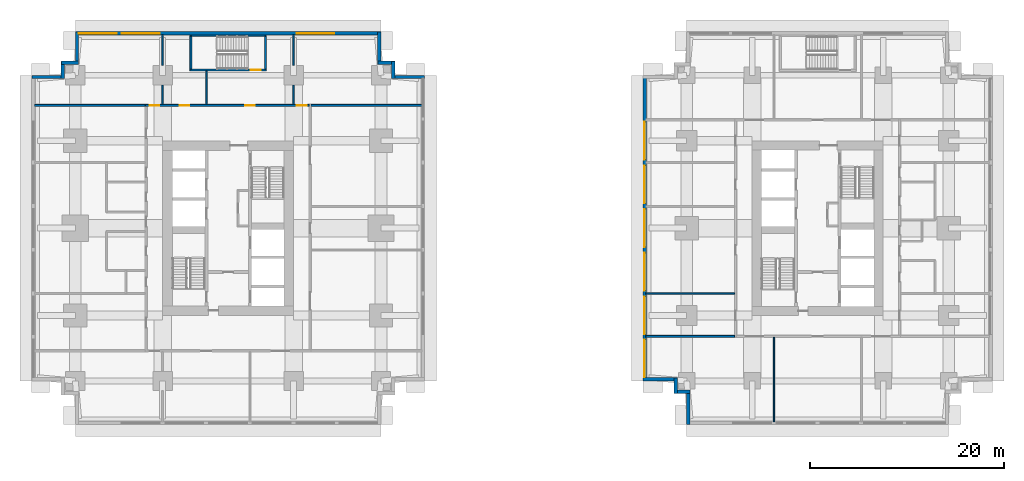
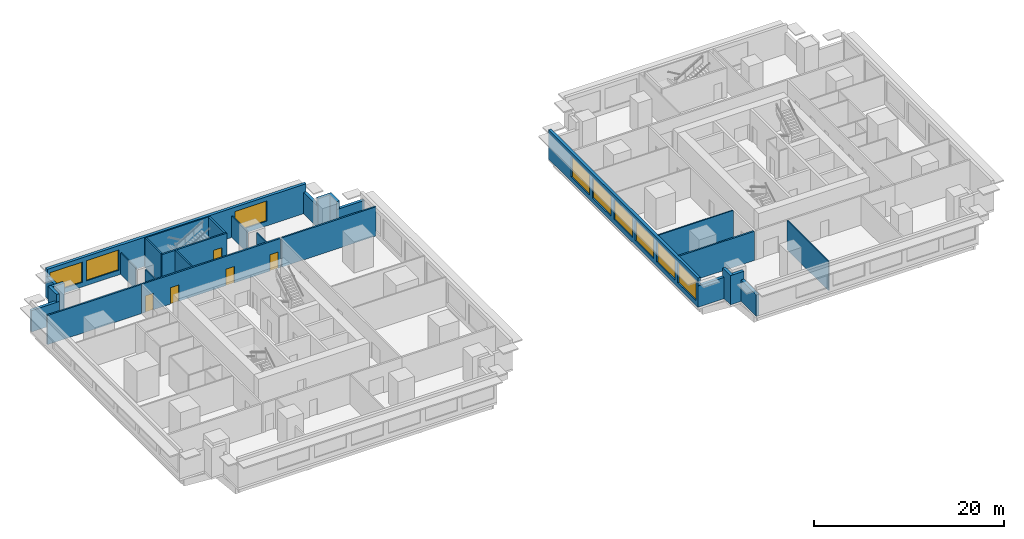
# One storey, part 5 of 11: 29 walls, 9 windows, 5 doors, 14 openings.
"""IFC4 building model written with IfcOpenShell, lengths in metres."""

from ifc_helpers import new_model, si_unit, direction, frame, frame_2d, origin, place, context, subcontext, project, spatial, rectangle, extrude, material, layer, layer_set, type_object, element, fill, save


model = new_model("IFC4")

# Units and contexts
model_context = context("Model", 3, precision=1e-05, world=origin(), true_north=direction((0.0, 1.0)))
body_context = subcontext(model_context, "Body", "Model", "MODEL_VIEW")
ifc_project = project(units=[si_unit("LENGTHUNIT", "METRE"), si_unit("AREAUNIT", "SQUARE_METRE"), si_unit("VOLUMEUNIT", "CUBIC_METRE"), si_unit("PLANEANGLEUNIT", "RADIAN"), si_unit("MASSUNIT", "GRAM", prefix="KILO")], contexts=[model_context])

# Site, building, storey
site_placement = place(None, origin())
site = spatial("IfcSite", under=ifc_project, at=site_placement, CompositionType="ELEMENT")
building_placement = place(site_placement, origin())
building = spatial("IfcBuilding", under=site, at=building_placement, Name="Namib Vertical Campus", CompositionType="ELEMENT")
storey_placement = place(building_placement, frame((0.0, 0.0, 73.0)))
storey = spatial("IfcBuildingStorey", under=building, at=storey_placement, Name="L17", CompositionType="ELEMENT", Elevation=73.0)

# Wall, openings, doors
ifc_material_1 = material(Name="Concrete masonry", Category="masonry")
ifc_layer_1 = layer(ifc_material_1, 0.199951171875)
ifc_layer_set_1 = layer_set([ifc_layer_1], Name="Corridor wall 200")
wall_type_1 = type_object("IfcWallType", Name="Corridor wall 200", PredefinedType="SOLIDWALL", material=ifc_layer_set_1)
wall_1_placement = place(storey_placement, frame((28.60009765625, 32.89990234375, 0.0), z_axis=(0.0, 0.0, 1.0), x_axis=(-1.0, 0.0, 0.0)))
wall_1 = element("IfcWall", 1, at=wall_1_placement, inside=storey, type_object=wall_type_1, Name="Corridor wall A L17 CN", PredefinedType="SOLIDWALL", context=body_context, shape_type="SweptSolid", body=[
    extrude(rectangle(XDim=16.900146484375, YDim=0.199951171875, at=frame_2d((8.4501953125, 0.0))), origin(), (0.0, 0.0, 1.0), 3.75),
])
opening_1_placement = place(wall_1_placement, frame((15.425048828125, 0.0, 0.0)))
opening_1 = element("IfcOpeningElement", 2, at=opening_1_placement, cuts=wall_1, Name="Opening CD1", PredefinedType="OPENING", context=body_context, shape_type="SweptSolid", body=[
    extrude(rectangle(XDim=1.0, YDim=2.10009765625, at=frame_2d((0.5, 1.050048828125))), frame((0.0, 0.10986328125, 0.0), z_axis=(0.0, -1.0, 0.0), x_axis=(1.0, 0.0, 0.0)), (0.0, 0.0, 1.0), 0.219970703125),
])
opening_2_placement = place(wall_1_placement, frame((12.35009765625, 0.0, 0.0)))
opening_2 = element("IfcOpeningElement", 3, at=opening_2_placement, cuts=wall_1, Name="Opening CD1", PredefinedType="OPENING", context=body_context, shape_type="SweptSolid", body=[
    extrude(rectangle(XDim=1.0, YDim=2.10009765625, at=frame_2d((0.5, 1.050048828125))), frame((0.0, 0.10986328125, 0.0), z_axis=(0.0, -1.0, 0.0), x_axis=(1.0, 0.0, 0.0)), (0.0, 0.0, 1.0), 0.219970703125),
])
opening_3_placement = place(wall_1_placement, frame((5.60009765625, 0.0, 0.0)))
opening_3 = element("IfcOpeningElement", 4, at=opening_3_placement, cuts=wall_1, Name="Opening CD1", PredefinedType="OPENING", context=body_context, shape_type="SweptSolid", body=[
    extrude(rectangle(XDim=1.0, YDim=2.10009765625, at=frame_2d((0.5, 1.050048828125))), frame((0.0, 0.10986328125, 0.0), z_axis=(0.0, -1.0, 0.0), x_axis=(1.0, 0.0, 0.0)), (0.0, 0.0, 1.0), 0.219970703125),
])
opening_4_placement = place(wall_1_placement, frame((0.27490234375, 0.0, 0.0)))
opening_4 = element("IfcOpeningElement", 5, at=opening_4_placement, cuts=wall_1, Name="Opening CD1", PredefinedType="OPENING", context=body_context, shape_type="SweptSolid", body=[
    extrude(rectangle(XDim=1.0, YDim=2.10009765625, at=frame_2d((0.5, 1.050048828125))), frame((0.0, 0.10986328125, 0.0), z_axis=(0.0, -1.0, 0.0), x_axis=(1.0, 0.0, 0.0)), (0.0, 0.0, 1.0), 0.219970703125),
])
ifc_material_2 = material(Name="Timber fire door leaf", Category="wood")
door_type_1 = type_object("IfcDoorType", Name="Corridor door 1000x2100 20 min", OperationType="SINGLE_SWING_LEFT", PredefinedType="DOOR", material=ifc_material_2)
door_1_placement = place(opening_1_placement, frame((1.0, 0.0, 0.0), z_axis=(0.0, 0.0, 1.0), x_axis=(-1.0, 0.0, 0.0)))
door_1 = element("IfcDoor", 6, at=door_1_placement, inside=storey, type_object=door_type_1, Name="Door CD1 A17-07", OperationType="SINGLE_SWING_RIGHT", OverallHeight=2.10009765625, OverallWidth=1.0, PredefinedType="DOOR", context=body_context, shape_type="SweptSolid", body=[
    extrude(rectangle(XDim=1.0, YDim=2.10009765625, at=frame_2d((0.5, 1.050048828125))), frame((0.0, 0.02490234375, 0.0), z_axis=(0.0, -1.0, 0.0), x_axis=(1.0, 0.0, 0.0)), (0.0, 0.0, 1.0), 0.050048828125),
])
fill(opening_1, door_1)
door_2_placement = place(opening_2_placement, frame((1.0, 0.0, 0.0), z_axis=(0.0, 0.0, 1.0), x_axis=(-1.0, 0.0, 0.0)))
door_2 = element("IfcDoor", 7, at=door_2_placement, inside=storey, type_object=door_type_1, Name="Door CD1 A17-08", OperationType="SINGLE_SWING_RIGHT", OverallHeight=2.10009765625, OverallWidth=1.0, PredefinedType="DOOR", context=body_context, shape_type="SweptSolid", body=[
    extrude(rectangle(XDim=1.0, YDim=2.10009765625, at=frame_2d((0.5, 1.050048828125))), frame((0.0, 0.02490234375, 0.0), z_axis=(0.0, -1.0, 0.0), x_axis=(1.0, 0.0, 0.0)), (0.0, 0.0, 1.0), 0.050048828125),
])
fill(opening_2, door_2)
door_3_placement = place(opening_3_placement, frame((1.0, 0.0, 0.0), z_axis=(0.0, 0.0, 1.0), x_axis=(-1.0, 0.0, 0.0)))
door_3 = element("IfcDoor", 8, at=door_3_placement, inside=storey, type_object=door_type_1, Name="Door CD1 A17-09", OperationType="SINGLE_SWING_RIGHT", OverallHeight=2.10009765625, OverallWidth=1.0, PredefinedType="DOOR", context=body_context, shape_type="SweptSolid", body=[
    extrude(rectangle(XDim=1.0, YDim=2.10009765625, at=frame_2d((0.5, 1.050048828125))), frame((0.0, 0.02490234375, 0.0), z_axis=(0.0, -1.0, 0.0), x_axis=(1.0, 0.0, 0.0)), (0.0, 0.0, 1.0), 0.050048828125),
])
fill(opening_3, door_3)
door_4_placement = place(opening_4_placement, frame((1.0, 0.0, 0.0), z_axis=(0.0, 0.0, 1.0), x_axis=(-1.0, 0.0, 0.0)))
door_4 = element("IfcDoor", 9, at=door_4_placement, inside=storey, type_object=door_type_1, Name="Door CD1 A17-10", OperationType="SINGLE_SWING_LEFT", OverallHeight=2.10009765625, OverallWidth=1.0, PredefinedType="DOOR", context=body_context, shape_type="SweptSolid", body=[
    extrude(rectangle(XDim=1.0, YDim=2.10009765625, at=frame_2d((0.5, 1.050048828125))), frame((0.0, 0.02490234375, 0.0), z_axis=(0.0, -1.0, 0.0), x_axis=(1.0, 0.0, 0.0)), (0.0, 0.0, 1.0), 0.050048828125),
])
fill(opening_4, door_4)

# Walls
for number, where, z_axis, x_axis, name in (
    (10, (0.300048828125, 32.89990234375, 0.0), (0.0, 0.0, 1.0), (1.0, 0.0, 0.0), "Partition A L17 BNW"),
    (11, (28.800048828125, 32.89990234375, 0.0), (0.0, 0.0, 1.0), (1.0, 0.0, 0.0), "Partition A L17 BNE"),
):
    element("IfcWall", number, at=place(storey_placement, frame(where, z_axis=z_axis, x_axis=x_axis)), inside=storey, type_object=wall_type_1, Name=name, PredefinedType="SOLIDWALL", context=body_context, shape_type="SweptSolid", body=[
        extrude(rectangle(XDim=11.39990234375, YDim=0.199951171875, at=frame_2d((5.699951171875, 0.0))), origin(), (0.0, 0.0, 1.0), 3.75),
    ])
wall_2_placement = place(storey_placement, frame((63.300048828125, 9.10009765625, 0.0), z_axis=(0.0, 0.0, 1.0), x_axis=(1.0, 0.0, 0.0)))
element("IfcWall", 12, at=wall_2_placement, inside=storey, type_object=wall_type_1, Name="Partition B L17 BSW", PredefinedType="SOLIDWALL", context=body_context, shape_type="SweptSolid", body=[
    extrude(rectangle(XDim=9.14990234375, YDim=0.199951171875, at=frame_2d((4.574951171875, 0.0))), origin(), (0.0, 0.0, 1.0), 3.75),
])
ifc_material_3 = material(Name="Concrete C40/50", Category="concrete")
ifc_layer_2 = layer(ifc_material_3, 0.35009765625)
ifc_layer_set_2 = layer_set([ifc_layer_2], Name="Concrete C40/50")
wall_type_2 = type_object("IfcWallType", Name="External wall 350 bush-hammered concrete", PredefinedType="STANDARD", material=ifc_layer_set_2)
wall_3_placement = place(storey_placement, frame((40.47998046875, 35.824951171875, 0.0), z_axis=(0.0, 0.0, 1.0), x_axis=(-1.0, 0.0, 0.0)))
element("IfcWall", 13, at=wall_3_placement, inside=storey, type_object=wall_type_2, Name="External wall L17 F07", PredefinedType="STANDARD", context=body_context, shape_type="SweptSolid", body=[
    extrude(rectangle(XDim=3.35986328125, YDim=0.35009765625, at=frame_2d((1.679931640625, 0.0))), origin(), (0.0, 0.0, 1.0), 2.75),
])
for number, where, z_axis, x_axis, name in (
    (14, (37.27490234375, 35.669921875, 0.0), (0.0, 0.0, 1.0), (0.0, 1.0, 0.0), "External wall L17 F08"),
    (15, (37.429931640625, 37.27490234375, 0.0), (0.0, 0.0, 1.0), (-1.0, 0.0, 0.0), "External wall L17 F09"),
):
    element("IfcWall", number, at=place(storey_placement, frame(where, z_axis=z_axis, x_axis=x_axis)), inside=storey, type_object=wall_type_2, Name=name, PredefinedType="STANDARD", context=body_context, shape_type="SweptSolid", body=[
        extrude(rectangle(XDim=1.760009765625, YDim=0.35009765625, at=frame_2d((0.8798828125, 0.0))), origin(), (0.0, 0.0, 1.0), 3.75),
    ])
wall_4_placement = place(storey_placement, frame((35.824951171875, 37.1201171875, 0.0), z_axis=(0.0, 0.0, 1.0), x_axis=(0.0, 1.0, 0.0)))
element("IfcWall", 16, at=wall_4_placement, inside=storey, type_object=wall_type_2, Name="External wall L17 F10", PredefinedType="STANDARD", context=body_context, shape_type="SweptSolid", body=[
    extrude(rectangle(XDim=3.35986328125, YDim=0.35009765625, at=frame_2d((1.679931640625, 0.0))), origin(), (0.0, 0.0, 1.0), 2.75),
])

# Wall, openings, windows
wall_5_placement = place(storey_placement, frame((35.97998046875, 40.324951171875, 0.0), z_axis=(0.0, 0.0, 1.0), x_axis=(-1.0, 0.0, 0.0)))
wall_5 = element("IfcWall", 17, at=wall_5_placement, inside=storey, type_object=wall_type_2, Name="External wall L17 F11", PredefinedType="STANDARD", context=body_context, shape_type="SweptSolid", body=[
    extrude(rectangle(XDim=31.4599609375, YDim=0.35009765625, at=frame_2d((15.72998046875, 0.0))), origin(), (0.0, 0.0, 1.0), 3.75),
])
opening_5_placement = place(wall_5_placement, frame((27.2099609375, 0.0, 0.60009765625)))
opening_5 = element("IfcOpeningElement", 18, at=opening_5_placement, cuts=wall_5, Name="Opening W2", PredefinedType="OPENING", context=body_context, shape_type="SweptSolid", body=[
    extrude(rectangle(XDim=3.89990234375, YDim=2.60009765625, at=frame_2d((1.949951171875, 1.300048828125))), frame((0.0, 0.18505859375, 0.0), z_axis=(0.0, -1.0, 0.0), x_axis=(1.0, 0.0, 0.0)), (0.0, 0.0, 1.0), 0.3701171875),
])
opening_6_placement = place(wall_5_placement, frame((22.780029296875, 0.0, 0.60009765625)))
opening_6 = element("IfcOpeningElement", 19, at=opening_6_placement, cuts=wall_5, Name="Opening W2", PredefinedType="OPENING", context=body_context, shape_type="SweptSolid", body=[
    extrude(rectangle(XDim=3.89990234375, YDim=2.60009765625, at=frame_2d((1.949951171875, 1.300048828125))), frame((0.0, 0.18505859375, 0.0), z_axis=(0.0, -1.0, 0.0), x_axis=(1.0, 0.0, 0.0)), (0.0, 0.0, 1.0), 0.3701171875),
])
opening_7_placement = place(wall_5_placement, frame((4.780029296875, 0.0, 0.60009765625)))
opening_7 = element("IfcOpeningElement", 20, at=opening_7_placement, cuts=wall_5, Name="Opening W2", PredefinedType="OPENING", context=body_context, shape_type="SweptSolid", body=[
    extrude(rectangle(XDim=3.89990234375, YDim=2.60009765625, at=frame_2d((1.949951171875, 1.300048828125))), frame((0.0, 0.18505859375, 0.0), z_axis=(0.0, -1.0, 0.0), x_axis=(1.0, 0.0, 0.0)), (0.0, 0.0, 1.0), 0.3701171875),
])
ifc_material_4 = material(Name="Dark tinted glass in black aluminium frame", Category="aluminium")
window_type = type_object("IfcWindowType", Name="Ribbon window 3900x2600", PartitioningType="SINGLE_PANEL", PredefinedType="WINDOW", material=ifc_material_4)
window_1_placement = place(opening_5_placement, origin())
window_1 = element("IfcWindow", 21, at=window_1_placement, inside=storey, type_object=window_type, Name="Window W2 L17 F11-1", OverallHeight=2.60009765625, OverallWidth=3.89990234375, PartitioningType="SINGLE_PANEL", PredefinedType="WINDOW", context=body_context, shape_type="SweptSolid", body=[
    extrude(rectangle(XDim=3.89990234375, YDim=2.60009765625, at=frame_2d((1.949951171875, 1.300048828125))), frame((0.0, 0.030029296875, 0.0), z_axis=(0.0, -1.0, 0.0), x_axis=(1.0, 0.0, 0.0)), (0.0, 0.0, 1.0), 0.06005859375),
])
fill(opening_5, window_1)
window_2_placement = place(opening_6_placement, origin())
window_2 = element("IfcWindow", 22, at=window_2_placement, inside=storey, type_object=window_type, Name="Window W2 L17 F11-2", OverallHeight=2.60009765625, OverallWidth=3.89990234375, PartitioningType="SINGLE_PANEL", PredefinedType="WINDOW", context=body_context, shape_type="SweptSolid", body=[
    extrude(rectangle(XDim=3.89990234375, YDim=2.60009765625, at=frame_2d((1.949951171875, 1.300048828125))), frame((0.0, 0.030029296875, 0.0), z_axis=(0.0, -1.0, 0.0), x_axis=(1.0, 0.0, 0.0)), (0.0, 0.0, 1.0), 0.06005859375),
])
fill(opening_6, window_2)
window_3_placement = place(opening_7_placement, origin())
window_3 = element("IfcWindow", 23, at=window_3_placement, inside=storey, type_object=window_type, Name="Window W2 L17 F11-6", OverallHeight=2.60009765625, OverallWidth=3.89990234375, PartitioningType="SINGLE_PANEL", PredefinedType="WINDOW", context=body_context, shape_type="SweptSolid", body=[
    extrude(rectangle(XDim=3.89990234375, YDim=2.60009765625, at=frame_2d((1.949951171875, 1.300048828125))), frame((0.0, 0.030029296875, 0.0), z_axis=(0.0, -1.0, 0.0), x_axis=(1.0, 0.0, 0.0)), (0.0, 0.0, 1.0), 0.06005859375),
])
fill(opening_7, window_3)

# Walls
wall_6_placement = place(storey_placement, frame((4.675048828125, 40.47998046875, 0.0), z_axis=(0.0, 0.0, 1.0), x_axis=(0.0, -1.0, 0.0)))
element("IfcWall", 24, at=wall_6_placement, inside=storey, type_object=wall_type_2, Name="External wall L17 F12", PredefinedType="STANDARD", context=body_context, shape_type="SweptSolid", body=[
    extrude(rectangle(XDim=3.35986328125, YDim=0.35009765625, at=frame_2d((1.679931640625, 0.0))), origin(), (0.0, 0.0, 1.0), 2.75),
])
for number, where, z_axis, x_axis, name in (
    (25, (4.830078125, 37.27490234375, 0.0), (0.0, 0.0, 1.0), (-1.0, 0.0, 0.0), "External wall L17 F13"),
    (26, (3.22509765625, 37.429931640625, 0.0), (0.0, 0.0, 1.0), (0.0, -1.0, 0.0), "External wall L17 F14"),
):
    element("IfcWall", number, at=place(storey_placement, frame(where, z_axis=z_axis, x_axis=x_axis)), inside=storey, type_object=wall_type_2, Name=name, PredefinedType="STANDARD", context=body_context, shape_type="SweptSolid", body=[
        extrude(rectangle(XDim=1.760009765625, YDim=0.35009765625, at=frame_2d((0.8798828125, 0.0))), origin(), (0.0, 0.0, 1.0), 3.75),
    ])
wall_7_placement = place(storey_placement, frame((3.3798828125, 35.824951171875, 0.0), z_axis=(0.0, 0.0, 1.0), x_axis=(-1.0, 0.0, 0.0)))
element("IfcWall", 27, at=wall_7_placement, inside=storey, type_object=wall_type_2, Name="External wall L17 F15", PredefinedType="STANDARD", context=body_context, shape_type="SweptSolid", body=[
    extrude(rectangle(XDim=3.35986328125, YDim=0.35009765625, at=frame_2d((1.679931640625, 0.0))), origin(), (0.0, 0.0, 1.0), 2.75),
])

# Wall, openings, windows
wall_8_placement = place(storey_placement, frame((63.175048828125, 35.97998046875, 0.0), z_axis=(0.0, 0.0, 1.0), x_axis=(0.0, -1.0, 0.0)))
wall_8 = element("IfcWall", 28, at=wall_8_placement, inside=storey, type_object=wall_type_2, Name="External wall L17 F16", PredefinedType="STANDARD", context=body_context, shape_type="SweptSolid", body=[
    extrude(rectangle(XDim=31.4599609375, YDim=0.35009765625, at=frame_2d((15.72998046875, 0.0))), origin(), (0.0, 0.0, 1.0), 3.75),
])
opening_8_placement = place(wall_8_placement, frame((27.2099609375, 0.0, 0.60009765625)))
opening_8 = element("IfcOpeningElement", 29, at=opening_8_placement, cuts=wall_8, Name="Opening W2", PredefinedType="OPENING", context=body_context, shape_type="SweptSolid", body=[
    extrude(rectangle(XDim=3.89990234375, YDim=2.60009765625, at=frame_2d((1.949951171875, 1.300048828125))), frame((0.0, 0.18505859375, 0.0), z_axis=(0.0, -1.0, 0.0), x_axis=(1.0, 0.0, 0.0)), (0.0, 0.0, 1.0), 0.3701171875),
])
opening_9_placement = place(wall_8_placement, frame((22.780029296875, 0.0, 0.60009765625)))
opening_9 = element("IfcOpeningElement", 30, at=opening_9_placement, cuts=wall_8, Name="Opening W2", PredefinedType="OPENING", context=body_context, shape_type="SweptSolid", body=[
    extrude(rectangle(XDim=3.89990234375, YDim=2.60009765625, at=frame_2d((1.949951171875, 1.300048828125))), frame((0.0, 0.18505859375, 0.0), z_axis=(0.0, -1.0, 0.0), x_axis=(1.0, 0.0, 0.0)), (0.0, 0.0, 1.0), 0.3701171875),
])
opening_10_placement = place(wall_8_placement, frame((18.280029296875, 0.0, 0.60009765625)))
opening_10 = element("IfcOpeningElement", 31, at=opening_10_placement, cuts=wall_8, Name="Opening W2", PredefinedType="OPENING", context=body_context, shape_type="SweptSolid", body=[
    extrude(rectangle(XDim=3.89990234375, YDim=2.60009765625, at=frame_2d((1.949951171875, 1.300048828125))), frame((0.0, 0.18505859375, 0.0), z_axis=(0.0, -1.0, 0.0), x_axis=(1.0, 0.0, 0.0)), (0.0, 0.0, 1.0), 0.3701171875),
])
opening_11_placement = place(wall_8_placement, frame((13.780029296875, 0.0, 0.60009765625)))
opening_11 = element("IfcOpeningElement", 32, at=opening_11_placement, cuts=wall_8, Name="Opening W2", PredefinedType="OPENING", context=body_context, shape_type="SweptSolid", body=[
    extrude(rectangle(XDim=3.89990234375, YDim=2.60009765625, at=frame_2d((1.949951171875, 1.300048828125))), frame((0.0, 0.18505859375, 0.0), z_axis=(0.0, -1.0, 0.0), x_axis=(1.0, 0.0, 0.0)), (0.0, 0.0, 1.0), 0.3701171875),
])
opening_12_placement = place(wall_8_placement, frame((9.280029296875, 0.0, 0.60009765625)))
opening_12 = element("IfcOpeningElement", 33, at=opening_12_placement, cuts=wall_8, Name="Opening W2", PredefinedType="OPENING", context=body_context, shape_type="SweptSolid", body=[
    extrude(rectangle(XDim=3.89990234375, YDim=2.60009765625, at=frame_2d((1.949951171875, 1.300048828125))), frame((0.0, 0.18505859375, 0.0), z_axis=(0.0, -1.0, 0.0), x_axis=(1.0, 0.0, 0.0)), (0.0, 0.0, 1.0), 0.3701171875),
])
opening_13_placement = place(wall_8_placement, frame((4.780029296875, 0.0, 0.60009765625)))
opening_13 = element("IfcOpeningElement", 34, at=opening_13_placement, cuts=wall_8, Name="Opening W2", PredefinedType="OPENING", context=body_context, shape_type="SweptSolid", body=[
    extrude(rectangle(XDim=3.89990234375, YDim=2.60009765625, at=frame_2d((1.949951171875, 1.300048828125))), frame((0.0, 0.18505859375, 0.0), z_axis=(0.0, -1.0, 0.0), x_axis=(1.0, 0.0, 0.0)), (0.0, 0.0, 1.0), 0.3701171875),
])
window_4_placement = place(opening_8_placement, origin())
window_4 = element("IfcWindow", 35, at=window_4_placement, inside=storey, type_object=window_type, Name="Window W2 L17 F16-1", OverallHeight=2.60009765625, OverallWidth=3.89990234375, PartitioningType="SINGLE_PANEL", PredefinedType="WINDOW", context=body_context, shape_type="SweptSolid", body=[
    extrude(rectangle(XDim=3.89990234375, YDim=2.60009765625, at=frame_2d((1.949951171875, 1.300048828125))), frame((0.0, 0.030029296875, 0.0), z_axis=(0.0, -1.0, 0.0), x_axis=(1.0, 0.0, 0.0)), (0.0, 0.0, 1.0), 0.06005859375),
])
fill(opening_8, window_4)
window_5_placement = place(opening_9_placement, origin())
window_5 = element("IfcWindow", 36, at=window_5_placement, inside=storey, type_object=window_type, Name="Window W2 L17 F16-2", OverallHeight=2.60009765625, OverallWidth=3.89990234375, PartitioningType="SINGLE_PANEL", PredefinedType="WINDOW", context=body_context, shape_type="SweptSolid", body=[
    extrude(rectangle(XDim=3.89990234375, YDim=2.60009765625, at=frame_2d((1.949951171875, 1.300048828125))), frame((0.0, 0.030029296875, 0.0), z_axis=(0.0, -1.0, 0.0), x_axis=(1.0, 0.0, 0.0)), (0.0, 0.0, 1.0), 0.06005859375),
])
fill(opening_9, window_5)
window_6_placement = place(opening_10_placement, origin())
window_6 = element("IfcWindow", 37, at=window_6_placement, inside=storey, type_object=window_type, Name="Window W2 L17 F16-3", OverallHeight=2.60009765625, OverallWidth=3.89990234375, PartitioningType="SINGLE_PANEL", PredefinedType="WINDOW", context=body_context, shape_type="SweptSolid", body=[
    extrude(rectangle(XDim=3.89990234375, YDim=2.60009765625, at=frame_2d((1.949951171875, 1.300048828125))), frame((0.0, 0.030029296875, 0.0), z_axis=(0.0, -1.0, 0.0), x_axis=(1.0, 0.0, 0.0)), (0.0, 0.0, 1.0), 0.06005859375),
])
fill(opening_10, window_6)
window_7_placement = place(opening_11_placement, origin())
window_7 = element("IfcWindow", 38, at=window_7_placement, inside=storey, type_object=window_type, Name="Window W2 L17 F16-4", OverallHeight=2.60009765625, OverallWidth=3.89990234375, PartitioningType="SINGLE_PANEL", PredefinedType="WINDOW", context=body_context, shape_type="SweptSolid", body=[
    extrude(rectangle(XDim=3.89990234375, YDim=2.60009765625, at=frame_2d((1.949951171875, 1.300048828125))), frame((0.0, 0.030029296875, 0.0), z_axis=(0.0, -1.0, 0.0), x_axis=(1.0, 0.0, 0.0)), (0.0, 0.0, 1.0), 0.06005859375),
])
fill(opening_11, window_7)
window_8_placement = place(opening_12_placement, origin())
window_8 = element("IfcWindow", 39, at=window_8_placement, inside=storey, type_object=window_type, Name="Window W2 L17 F16-5", OverallHeight=2.60009765625, OverallWidth=3.89990234375, PartitioningType="SINGLE_PANEL", PredefinedType="WINDOW", context=body_context, shape_type="SweptSolid", body=[
    extrude(rectangle(XDim=3.89990234375, YDim=2.60009765625, at=frame_2d((1.949951171875, 1.300048828125))), frame((0.0, 0.030029296875, 0.0), z_axis=(0.0, -1.0, 0.0), x_axis=(1.0, 0.0, 0.0)), (0.0, 0.0, 1.0), 0.06005859375),
])
fill(opening_12, window_8)
window_9_placement = place(opening_13_placement, origin())
window_9 = element("IfcWindow", 40, at=window_9_placement, inside=storey, type_object=window_type, Name="Window W2 L17 F16-6", OverallHeight=2.60009765625, OverallWidth=3.89990234375, PartitioningType="SINGLE_PANEL", PredefinedType="WINDOW", context=body_context, shape_type="SweptSolid", body=[
    extrude(rectangle(XDim=3.89990234375, YDim=2.60009765625, at=frame_2d((1.949951171875, 1.300048828125))), frame((0.0, 0.030029296875, 0.0), z_axis=(0.0, -1.0, 0.0), x_axis=(1.0, 0.0, 0.0)), (0.0, 0.0, 1.0), 0.06005859375),
])
fill(opening_13, window_9)

# Walls
wall_9_placement = place(storey_placement, frame((63.02001953125, 4.675048828125, 0.0), z_axis=(0.0, 0.0, 1.0), x_axis=(1.0, 0.0, 0.0)))
element("IfcWall", 41, at=wall_9_placement, inside=storey, type_object=wall_type_2, Name="External wall L17 F17", PredefinedType="STANDARD", context=body_context, shape_type="SweptSolid", body=[
    extrude(rectangle(XDim=3.510009765625, YDim=0.35009765625, at=frame_2d((1.7548828125, 0.0))), origin(), (0.0, 0.0, 1.0), 2.75),
])
for number, where, z_axis, x_axis, name in (
    (42, (66.375, 4.830078125, 0.0), (0.0, 0.0, 1.0), (0.0, -1.0, 0.0), "External wall L17 F18"),
    (43, (66.219970703125, 3.375, 0.0), (0.0, 0.0, 1.0), (1.0, 0.0, 0.0), "External wall L17 F19"),
):
    element("IfcWall", number, at=place(storey_placement, frame(where, z_axis=z_axis, x_axis=x_axis)), inside=storey, type_object=wall_type_2, Name=name, PredefinedType="STANDARD", context=body_context, shape_type="SweptSolid", body=[
        extrude(rectangle(XDim=1.610107421875, YDim=0.35009765625, at=frame_2d((0.80517578125, 0.0))), origin(), (0.0, 0.0, 1.0), 3.75),
    ])
wall_10_placement = place(storey_placement, frame((67.675048828125, 3.530029296875, 0.0), z_axis=(0.0, 0.0, 1.0), x_axis=(0.0, -1.0, 0.0)))
element("IfcWall", 44, at=wall_10_placement, inside=storey, type_object=wall_type_2, Name="External wall L17 F20", PredefinedType="STANDARD", context=body_context, shape_type="SweptSolid", body=[
    extrude(rectangle(XDim=3.510009765625, YDim=0.35009765625, at=frame_2d((1.7548828125, 0.0))), origin(), (0.0, 0.0, 1.0), 2.75),
])
ifc_material_5 = material(Name="Gypsum board on steel studs", Category="steel")
ifc_layer_3 = layer(ifc_material_5, 0.14990234375)
ifc_layer_set_3 = layer_set([ifc_layer_3], Name="Gypsum board on steel studs")
wall_type_3 = type_object("IfcWallType", Name="Partition 150", PredefinedType="PARTITIONING", material=ifc_layer_set_3)
wall_11_placement = place(storey_placement, frame((13.5, 33.0, 0.0), z_axis=(0.0, 0.0, 1.0), x_axis=(0.0, 1.0, 0.0)))
element("IfcWall", 45, at=wall_11_placement, inside=storey, type_object=wall_type_3, Name="Partition A L17 PN1", PredefinedType="PARTITIONING", context=body_context, shape_type="SweptSolid", body=[
    extrude(rectangle(XDim=1.97998046875, YDim=0.14990234375, at=frame_2d((0.989990234375, 0.0))), origin(), (0.0, 0.0, 1.0), 3.75),
])
wall_12_placement = place(storey_placement, frame((13.5, 37.02001953125, 0.0), z_axis=(0.0, 0.0, 1.0), x_axis=(0.0, 1.0, 0.0)))
element("IfcWall", 46, at=wall_12_placement, inside=storey, type_object=wall_type_3, Name="Partition A L17 PN1", PredefinedType="PARTITIONING", context=body_context, shape_type="SweptSolid", body=[
    extrude(rectangle(XDim=3.179931640625, YDim=0.14990234375, at=frame_2d((1.58984375, 0.0))), origin(), (0.0, 0.0, 1.0), 2.75),
])
wall_13_placement = place(storey_placement, frame((18.0, 33.0, 0.0), z_axis=(0.0, 0.0, 1.0), x_axis=(0.0, 1.0, 0.0)))
element("IfcWall", 47, at=wall_13_placement, inside=storey, type_object=wall_type_3, Name="Partition A L17 PN2", PredefinedType="PARTITIONING", context=body_context, shape_type="SweptSolid", body=[
    extrude(rectangle(XDim=3.449951171875, YDim=0.14990234375, at=frame_2d((1.72509765625, 0.0))), origin(), (0.0, 0.0, 1.0), 3.75),
])
wall_14_placement = place(storey_placement, frame((27.0, 33.0, 0.0), z_axis=(0.0, 0.0, 1.0), x_axis=(0.0, 1.0, 0.0)))
element("IfcWall", 48, at=wall_14_placement, inside=storey, type_object=wall_type_3, Name="Partition A L17 PN3", PredefinedType="PARTITIONING", context=body_context, shape_type="SweptSolid", body=[
    extrude(rectangle(XDim=1.97998046875, YDim=0.14990234375, at=frame_2d((0.989990234375, 0.0))), origin(), (0.0, 0.0, 1.0), 3.75),
])
wall_15_placement = place(storey_placement, frame((27.0, 37.02001953125, 0.0), z_axis=(0.0, 0.0, 1.0), x_axis=(0.0, 1.0, 0.0)))
element("IfcWall", 49, at=wall_15_placement, inside=storey, type_object=wall_type_3, Name="Partition A L17 PN3", PredefinedType="PARTITIONING", context=body_context, shape_type="SweptSolid", body=[
    extrude(rectangle(XDim=3.179931640625, YDim=0.14990234375, at=frame_2d((1.58984375, 0.0))), origin(), (0.0, 0.0, 1.0), 2.75),
])
wall_16_placement = place(storey_placement, frame((76.5, 0.300048828125, 0.0), z_axis=(0.0, 0.0, 1.0), x_axis=(0.0, 1.0, 0.0)))
element("IfcWall", 50, at=wall_16_placement, inside=storey, type_object=wall_type_3, Name="Partition B L17 PS1", PredefinedType="PARTITIONING", context=body_context, shape_type="SweptSolid", body=[
    extrude(rectangle(XDim=8.699951171875, YDim=0.14990234375, at=frame_2d((4.35009765625, 0.0))), origin(), (0.0, 0.0, 1.0), 3.75),
])
wall_17_placement = place(storey_placement, frame((63.300048828125, 13.5, 0.0), z_axis=(0.0, 0.0, 1.0), x_axis=(1.0, 0.0, 0.0)))
element("IfcWall", 51, at=wall_17_placement, inside=storey, type_object=wall_type_3, Name="Partition B L17 PW1", PredefinedType="PARTITIONING", context=body_context, shape_type="SweptSolid", body=[
    extrude(rectangle(XDim=9.14990234375, YDim=0.14990234375, at=frame_2d((4.574951171875, 0.0))), origin(), (0.0, 0.0, 1.0), 3.75),
])
ifc_material_6 = material(Name="Concrete C40/50", Category="concrete")
ifc_layer_4 = layer(ifc_material_6, 0.14990234375)
ifc_layer_set_4 = layer_set([ifc_layer_4], Name="Concrete C40/50")
wall_type_4 = type_object("IfcWallType", Name="Stair enclosure wall RC 150", PredefinedType="SOLIDWALL", material=ifc_layer_set_4)
wall_18_placement = place(storey_placement, frame((16.300048828125, 40.074951171875, 0.0), z_axis=(0.0, 0.0, 1.0), x_axis=(1.0, 0.0, 0.0)))
element("IfcWall", 52, at=wall_18_placement, inside=storey, type_object=wall_type_4, Name="Stair enclosure wall A-S3 L17 N", PredefinedType="SOLIDWALL", context=body_context, shape_type="SweptSolid", body=[
    extrude(rectangle(XDim=7.89990234375, YDim=0.14990234375, at=frame_2d((3.949951171875, 0.0))), origin(), (0.0, 0.0, 1.0), 3.75),
])

# Wall, opening, door
ifc_material_7 = material(Name="Concrete C40/50", Category="concrete")
ifc_layer_5 = layer(ifc_material_7, 0.199951171875)
ifc_layer_set_5 = layer_set([ifc_layer_5], Name="Concrete C40/50")
wall_type_5 = type_object("IfcWallType", Name="Stair enclosure wall RC 200", PredefinedType="SOLIDWALL", material=ifc_layer_set_5)
wall_19_placement = place(storey_placement, frame((16.300048828125, 36.550048828125, 0.0), z_axis=(0.0, 0.0, 1.0), x_axis=(1.0, 0.0, 0.0)))
wall_19 = element("IfcWall", 53, at=wall_19_placement, inside=storey, type_object=wall_type_5, Name="Stair enclosure wall A-S3 L17 S", PredefinedType="SOLIDWALL", context=body_context, shape_type="SweptSolid", body=[
    extrude(rectangle(XDim=7.89990234375, YDim=0.199951171875, at=frame_2d((3.949951171875, 0.0))), origin(), (0.0, 0.0, 1.0), 3.75),
])
opening_14_placement = place(wall_19_placement, frame((6.300048828125, 0.0, 0.0)))
opening_14 = element("IfcOpeningElement", 54, at=opening_14_placement, cuts=wall_19, Name="Opening FD1", PredefinedType="OPENING", context=body_context, shape_type="SweptSolid", body=[
    extrude(rectangle(XDim=1.0, YDim=2.10009765625, at=frame_2d((0.5, 1.050048828125))), frame((0.0, 0.10986328125, 0.0), z_axis=(0.0, -1.0, 0.0), x_axis=(1.0, 0.0, 0.0)), (0.0, 0.0, 1.0), 0.219970703125),
])
ifc_material_8 = material(Name="Steel fire door", Category="steel")
door_type_2 = type_object("IfcDoorType", Name="Fire door 1000x2100", OperationType="SINGLE_SWING_RIGHT", PredefinedType="DOOR", material=ifc_material_8)
door_5_placement = place(opening_14_placement, origin())
door_5 = element("IfcDoor", 55, at=door_5_placement, inside=storey, type_object=door_type_2, Name="Stair door FD1 A L17 S3", OperationType="SINGLE_SWING_RIGHT", OverallHeight=2.10009765625, OverallWidth=1.0, PredefinedType="DOOR", context=body_context, shape_type="SweptSolid", body=[
    extrude(rectangle(XDim=1.0, YDim=2.10009765625, at=frame_2d((0.5, 1.050048828125))), frame((0.0, 0.02490234375, 0.0), z_axis=(0.0, -1.0, 0.0), x_axis=(1.0, 0.0, 0.0)), (0.0, 0.0, 1.0), 0.050048828125),
])
fill(opening_14, door_5)

# Walls
for number, where, z_axis, x_axis, name in (
    (56, (16.39990234375, 36.64990234375, 0.0), (0.0, 0.0, 1.0), (0.0, 1.0, 0.0), "Stair enclosure wall A-S3 L17 W"),
    (57, (24.10009765625, 36.64990234375, 0.0), (0.0, 0.0, 1.0), (0.0, 1.0, 0.0), "Stair enclosure wall A-S3 L17 E"),
):
    element("IfcWall", number, at=place(storey_placement, frame(where, z_axis=z_axis, x_axis=x_axis)), inside=storey, type_object=wall_type_5, Name=name, PredefinedType="SOLIDWALL", context=body_context, shape_type="SweptSolid", body=[
        extrude(rectangle(XDim=3.35009765625, YDim=0.199951171875, at=frame_2d((1.675048828125, 0.0))), origin(), (0.0, 0.0, 1.0), 3.75),
    ])

save(model, "model.ifc")
